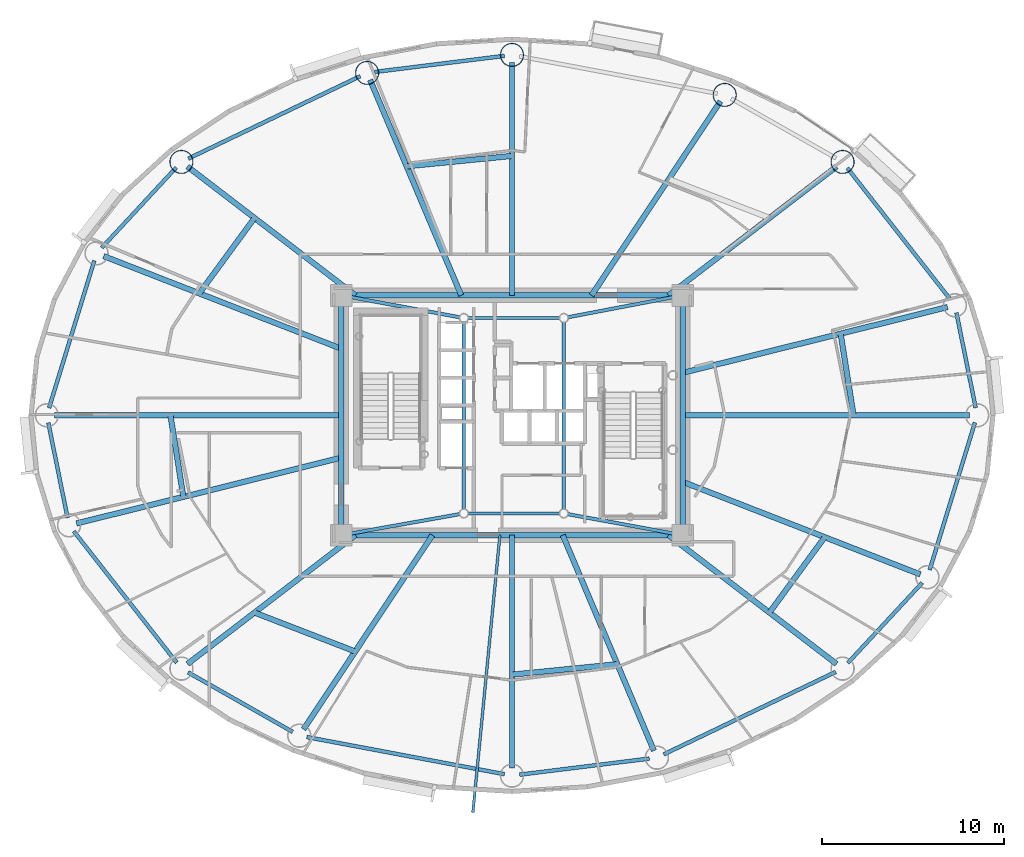
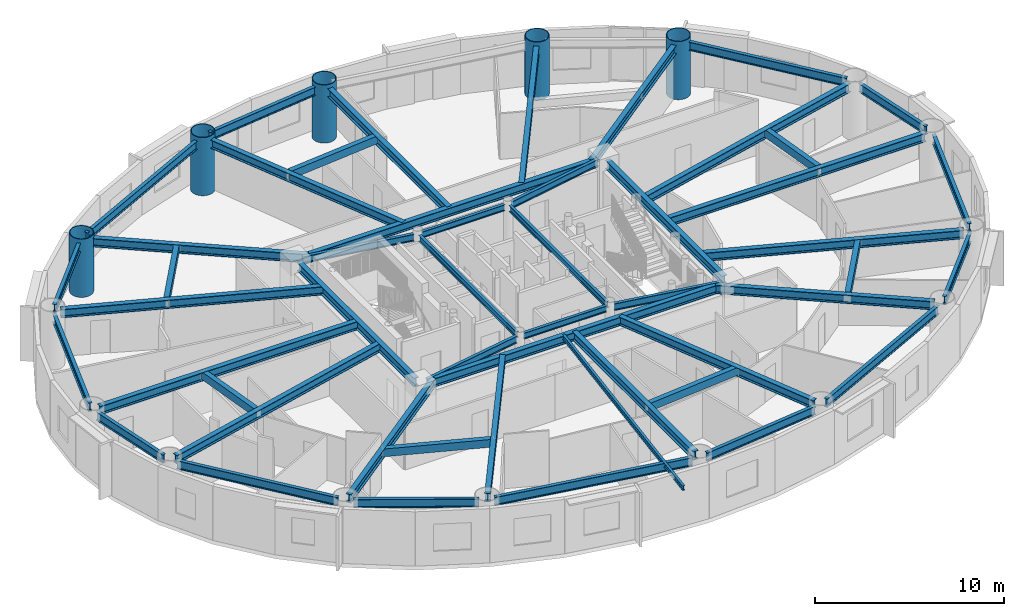
# One storey, part 3 of 21: 50 beams, 5 columns.
"""IFC4 building model written with IfcOpenShell, lengths in metres."""

from ifc_helpers import new_model, si_unit, direction, frame, origin, origin_2d, place, context, subcontext, project, spatial, hollow_rectangle, hollow_circle, i_section, extrude, material, material_profile, profile_set, type_object, element, save


model = new_model("IFC4")

# Units and contexts
model_context = context("Model", 3, precision=1e-05, world=origin(), true_north=direction((0.0, 1.0)))
body_context = subcontext(model_context, "Body", "Model", "MODEL_VIEW")
ifc_project = project(units=[si_unit("LENGTHUNIT", "METRE"), si_unit("AREAUNIT", "SQUARE_METRE"), si_unit("VOLUMEUNIT", "CUBIC_METRE"), si_unit("PLANEANGLEUNIT", "RADIAN"), si_unit("MASSUNIT", "GRAM", prefix="KILO")], contexts=[model_context])

# Site, building, storey
site_placement = place(None, origin())
site = spatial("IfcSite", under=ifc_project, at=site_placement, CompositionType="ELEMENT")
building_placement = place(site_placement, origin())
building = spatial("IfcBuilding", under=site, at=building_placement, Name="Linh Dai School and Residence Tower", CompositionType="ELEMENT")
storey_placement = place(building_placement, frame((0.0, 0.0, 189.89990234375)))
storey = spatial("IfcBuildingStorey", under=building, at=storey_placement, Name="L46", CompositionType="ELEMENT", Elevation=189.89990234375)

# Columns
ifc_material = material(Name="Structural Steel S355JR", Category="steel")
ifc_material_profile_1 = material_profile(ifc_material, hollow_circle(Radius=0.64990234375, WallThickness=0.0400390625, at=origin_2d()), Name="CHS 1300x40")
ifc_profile_set_1 = profile_set([ifc_material_profile_1], Name="Structural Steel S355JR")
column_type = type_object("IfcColumnType", Name="COL-MC4", PredefinedType="COLUMN", material=ifc_profile_set_1)
for number, where, z_axis, x_axis, name in (
    (1, (54.1923828125, 40.941650390625, 0.0), (0.0, 0.0, 1.0), (1.0, 0.0, 0.0), "L46 Perimeter CFT Mega-Column MC03"),
    (2, (47.70556640625, 44.630859375, 0.0), (0.0, 0.0, 1.0), (1.0, 0.0, 0.0), "L46 Perimeter CFT Mega-Column MC04"),
    (3, (36.0, 46.830078125, 0.0), (0.0, 0.0, 1.0), (1.0, 0.0, 0.0), "L46 Perimeter CFT Mega-Column MC05"),
    (4, (28.026611328125, 45.84130859375, 0.0), (0.0, 0.0, 1.0), (1.0, 0.0, 0.0), "L46 Perimeter CFT Mega-Column MC06"),
    (5, (17.8076171875, 40.941650390625, 0.0), (0.0, 0.0, 1.0), (1.0, 0.0, 0.0), "L46 Perimeter CFT Mega-Column MC07"),
):
    element("IfcColumn", number, at=place(storey_placement, frame(where, z_axis=z_axis, x_axis=x_axis)), inside=storey, type_object=column_type, Name=name, PredefinedType="COLUMN", context=body_context, shape_type="SweptSolid", body=[
        extrude(hollow_circle(Radius=0.64990234375, WallThickness=0.0400390625, at=origin_2d()), origin(), (0.0, 0.0, 1.0), 3.75),
    ])

# Beams
ifc_material_profile_2 = material_profile(ifc_material, i_section(OverallWidth=0.14990234375, OverallDepth=0.300048828125, WebThickness=0.007080078125, FlangeThickness=0.0107421875, at=origin_2d()), Name="IPE 300")
ifc_profile_set_2 = profile_set([ifc_material_profile_2], Name="Structural Steel S355JR")
beam_type_1 = type_object("IfcBeamType", Name="BM-BALC-CANT", PredefinedType="BEAM", material=ifc_profile_set_2)
beam_1_placement = place(storey_placement, frame((35.335205078125, 20.39990234375, 3.35009765625), z_axis=(-0.096990319244, -0.995285324906, 0.0), x_axis=(0.995285324906, -0.096990319244, 0.0)))
element("IfcBeam", 6, at=beam_1_placement, inside=storey, type_object=beam_type_1, Name="L47 Balcony Continuous Cantilever Beam 30", PredefinedType="BEAM", context=body_context, shape_type="SweptSolid", body=[
    extrude(i_section(OverallWidth=0.14990234375, OverallDepth=0.300048828125, WebThickness=0.007080078125, FlangeThickness=0.0107421875, at=origin_2d()), origin(), (0.0, 0.0, 1.0), 15.33203125),
])
ifc_material_profile_3 = material_profile(ifc_material, hollow_rectangle(XDim=0.300048828125, YDim=0.5, WallThickness=0.01611328125, at=origin_2d()), Name="RHS 500x300x16")
ifc_profile_set_3 = profile_set([ifc_material_profile_3], Name="Structural Steel S355JR")
beam_type_2 = type_object("IfcBeamType", Name="BM-BX5", PredefinedType="BEAM", material=ifc_profile_set_3)
beam_2_placement = place(storey_placement, frame((54.795166015625, 27.0048828125, 3.25), z_axis=(-0.15630517468, 0.987708809502, 0.0), x_axis=(-0.987708809502, -0.15630517468, 0.0)))
element("IfcBeam", 7, at=beam_2_placement, inside=storey, type_object=beam_type_2, Name="L46 Secondary Circumferential Floor Beam 01", PredefinedType="BEAM", context=body_context, shape_type="SweptSolid", body=[
    extrude(hollow_rectangle(XDim=0.300048828125, YDim=0.5, WallThickness=0.01611328125, at=origin_2d()), origin(), (0.0, 0.0, 1.0), 4.537353515625),
])
beam_3_placement = place(storey_placement, frame((35.9951171875, 41.27294921875, 3.25), z_axis=(-0.995143022353, -0.098439651878, 0.0), x_axis=(0.098439651878, -0.995143022353, 0.0)))
element("IfcBeam", 8, at=beam_3_placement, inside=storey, type_object=beam_type_2, Name="L46 Secondary Circumferential Floor Beam 03", PredefinedType="BEAM", context=body_context, shape_type="SweptSolid", body=[
    extrude(hollow_rectangle(XDim=0.300048828125, YDim=0.5, WallThickness=0.01611328125, at=origin_2d()), origin(), (0.0, 0.0, 1.0), 5.81591796875),
])
beam_4_placement = place(storey_placement, frame((21.828125, 37.854248046875, 3.25), z_axis=(-0.59077809598, -0.806834085367, 0.0), x_axis=(0.806834085367, -0.59077809598, 0.0)))
element("IfcBeam", 9, at=beam_4_placement, inside=storey, type_object=beam_type_2, Name="L46 Secondary Circumferential Floor Beam 04", PredefinedType="BEAM", context=body_context, shape_type="SweptSolid", body=[
    extrude(hollow_rectangle(XDim=0.300048828125, YDim=0.5, WallThickness=0.01611328125, at=origin_2d()), origin(), (0.0, 0.0, 1.0), 5.134765625),
])
beam_5_placement = place(storey_placement, frame((17.204833984375, 26.9951171875, 3.25), z_axis=(0.15630517468, -0.987708809502, 0.0), x_axis=(0.987708809502, 0.15630517468, 0.0)))
element("IfcBeam", 10, at=beam_5_placement, inside=storey, type_object=beam_type_2, Name="L46 Secondary Circumferential Floor Beam 05", PredefinedType="BEAM", context=body_context, shape_type="SweptSolid", body=[
    extrude(hollow_rectangle(XDim=0.300048828125, YDim=0.5, WallThickness=0.01611328125, at=origin_2d()), origin(), (0.0, 0.0, 1.0), 4.537353515625),
])
beam_6_placement = place(storey_placement, frame((21.8359375, 16.139892578125, 3.25), z_axis=(0.932827710026, -0.360322721193, 0.0), x_axis=(0.360322721193, 0.932827710026, 0.0)))
element("IfcBeam", 11, at=beam_6_placement, inside=storey, type_object=beam_type_2, Name="L46 Secondary Circumferential Floor Beam 06", PredefinedType="BEAM", context=body_context, shape_type="SweptSolid", body=[
    extrude(hollow_rectangle(XDim=0.300048828125, YDim=0.5, WallThickness=0.01611328125, at=origin_2d()), origin(), (0.0, 0.0, 1.0), 5.927978515625),
])
beam_7_placement = place(storey_placement, frame((36.0048828125, 12.72705078125, 3.25), z_axis=(0.995143022353, 0.098439651878, 0.0), x_axis=(-0.098439651878, 0.995143022353, 0.0)))
element("IfcBeam", 12, at=beam_7_placement, inside=storey, type_object=beam_type_2, Name="L46 Secondary Circumferential Floor Beam 07", PredefinedType="BEAM", context=body_context, shape_type="SweptSolid", body=[
    extrude(hollow_rectangle(XDim=0.300048828125, YDim=0.5, WallThickness=0.01611328125, at=origin_2d()), origin(), (0.0, 0.0, 1.0), 5.81591796875),
])
beam_8_placement = place(storey_placement, frame((50.171875, 16.145751953125, 3.25), z_axis=(0.59077809598, 0.806834085367, 0.0), x_axis=(-0.806834085367, 0.59077809598, 0.0)))
element("IfcBeam", 13, at=beam_8_placement, inside=storey, type_object=beam_type_2, Name="L46 Secondary Circumferential Floor Beam 08", PredefinedType="BEAM", context=body_context, shape_type="SweptSolid", body=[
    extrude(hollow_rectangle(XDim=0.300048828125, YDim=0.5, WallThickness=0.01611328125, at=origin_2d()), origin(), (0.0, 0.0, 1.0), 5.134765625),
])
ifc_material_profile_4 = material_profile(ifc_material, i_section(OverallWidth=0.2099609375, OverallDepth=0.550048828125, WebThickness=0.010986328125, FlangeThickness=0.01708984375, FilletRadius=0.02392578125, at=origin_2d()), Name="IPE 550")
ifc_profile_set_4 = profile_set([ifc_material_profile_4], Name="Structural Steel S355JR")
beam_type_3 = type_object("IfcBeamType", Name="BM-RB55", PredefinedType="BEAM", material=ifc_profile_set_4)
beam_9_placement = place(storey_placement, frame((61.5166015625, 27.41162109375, 3.22509765625), z_axis=(-0.198420723955, 0.980116940117, 0.0), x_axis=(-0.980116940117, -0.198420723955, 0.0)))
element("IfcBeam", 14, at=beam_9_placement, inside=storey, type_object=beam_type_3, Name="L46 Perimeter Elliptical Ring Beam 01", PredefinedType="BEAM", context=body_context, shape_type="SweptSolid", body=[
    extrude(i_section(OverallWidth=0.2099609375, OverallDepth=0.550048828125, WebThickness=0.010986328125, FlangeThickness=0.01708984375, FilletRadius=0.02392578125, at=origin_2d()), origin(), (0.0, 0.0, 1.0), 5.33642578125),
])
beam_10_placement = place(storey_placement, frame((60.115478515625, 33.38427734375, 3.22509765625), z_axis=(-0.616852281883, 0.787078942887, 0.0), x_axis=(-0.787078942887, -0.616852281883, 0.0)))
element("IfcBeam", 15, at=beam_10_placement, inside=storey, type_object=beam_type_3, Name="L46 Perimeter Elliptical Ring Beam 02", PredefinedType="BEAM", context=body_context, shape_type="SweptSolid", body=[
    extrude(i_section(OverallWidth=0.2099609375, OverallDepth=0.550048828125, WebThickness=0.010986328125, FlangeThickness=0.01708984375, FilletRadius=0.02392578125, at=origin_2d()), origin(), (0.0, 0.0, 1.0), 9.181884765625),
])
beam_11_placement = place(storey_placement, frame((35.583251953125, 46.7783203125, 3.22509765625), z_axis=(-0.992400597975, -0.123048986741, 0.0), x_axis=(0.123048986741, -0.992400597975, 0.0)))
element("IfcBeam", 16, at=beam_11_placement, inside=storey, type_object=beam_type_3, Name="L46 Perimeter Elliptical Ring Beam 05", PredefinedType="BEAM", context=body_context, shape_type="SweptSolid", body=[
    extrude(i_section(OverallWidth=0.2099609375, OverallDepth=0.550048828125, WebThickness=0.010986328125, FlangeThickness=0.01708984375, FilletRadius=0.02392578125, at=origin_2d()), origin(), (0.0, 0.0, 1.0), 7.1943359375),
])
beam_12_placement = place(storey_placement, frame((27.64794921875, 45.659912109375, 3.22509765625), z_axis=(-0.901708141823, -0.432345263614, 0.0), x_axis=(0.432345263614, -0.901708141823, 0.0)))
element("IfcBeam", 17, at=beam_12_placement, inside=storey, type_object=beam_type_3, Name="L46 Perimeter Elliptical Ring Beam 06", PredefinedType="BEAM", context=body_context, shape_type="SweptSolid", body=[
    extrude(i_section(OverallWidth=0.2099609375, OverallDepth=0.550048828125, WebThickness=0.010986328125, FlangeThickness=0.01708984375, FilletRadius=0.02392578125, at=origin_2d()), origin(), (0.0, 0.0, 1.0), 10.4931640625),
])
beam_13_placement = place(storey_placement, frame((17.521728515625, 40.6337890625, 3.22509765625), z_axis=(-0.680378035197, -0.732861330145, 0.0), x_axis=(0.732861330145, -0.680378035197, 0.0)))
element("IfcBeam", 18, at=beam_13_placement, inside=storey, type_object=beam_type_3, Name="L46 Perimeter Elliptical Ring Beam 07", PredefinedType="BEAM", context=body_context, shape_type="SweptSolid", body=[
    extrude(i_section(OverallWidth=0.2099609375, OverallDepth=0.550048828125, WebThickness=0.010986328125, FlangeThickness=0.01708984375, FilletRadius=0.02392578125, at=origin_2d()), origin(), (0.0, 0.0, 1.0), 6.024169921875),
])
beam_14_placement = place(storey_placement, frame((13.01416015625, 35.509765625, 3.22509765625), z_axis=(-0.29363681283, -0.955917058196, 0.0), x_axis=(0.955917058196, -0.29363681283, 0.0)))
element("IfcBeam", 19, at=beam_14_placement, inside=storey, type_object=beam_type_3, Name="L46 Perimeter Elliptical Ring Beam 08", PredefinedType="BEAM", context=body_context, shape_type="SweptSolid", body=[
    extrude(i_section(OverallWidth=0.2099609375, OverallDepth=0.550048828125, WebThickness=0.010986328125, FlangeThickness=0.01708984375, FilletRadius=0.02392578125, at=origin_2d()), origin(), (0.0, 0.0, 1.0), 8.482421875),
])
beam_15_placement = place(storey_placement, frame((10.4833984375, 26.58837890625, 3.22509765625), z_axis=(0.198420723955, -0.980116940117, 0.0), x_axis=(0.980116940117, 0.198420723955, 0.0)))
element("IfcBeam", 20, at=beam_15_placement, inside=storey, type_object=beam_type_3, Name="L46 Perimeter Elliptical Ring Beam 09", PredefinedType="BEAM", context=body_context, shape_type="SweptSolid", body=[
    extrude(i_section(OverallWidth=0.2099609375, OverallDepth=0.550048828125, WebThickness=0.010986328125, FlangeThickness=0.01708984375, FilletRadius=0.02392578125, at=origin_2d()), origin(), (0.0, 0.0, 1.0), 5.33642578125),
])
beam_16_placement = place(storey_placement, frame((11.884521484375, 20.61572265625, 3.22509765625), z_axis=(0.616852281883, -0.787078942887, 0.0), x_axis=(0.787078942887, 0.616852281883, 0.0)))
element("IfcBeam", 21, at=beam_16_placement, inside=storey, type_object=beam_type_3, Name="L46 Perimeter Elliptical Ring Beam 10", PredefinedType="BEAM", context=body_context, shape_type="SweptSolid", body=[
    extrude(i_section(OverallWidth=0.2099609375, OverallDepth=0.550048828125, WebThickness=0.010986328125, FlangeThickness=0.01708984375, FilletRadius=0.02392578125, at=origin_2d()), origin(), (0.0, 0.0, 1.0), 9.181884765625),
])
beam_17_placement = place(storey_placement, frame((18.172607421875, 12.8505859375, 3.22509765625), z_axis=(0.869262164011, -0.49435138335, 0.0), x_axis=(0.49435138335, 0.869262164011, 0.0)))
element("IfcBeam", 22, at=beam_17_placement, inside=storey, type_object=beam_type_3, Name="L46 Perimeter Elliptical Ring Beam 11", PredefinedType="BEAM", context=body_context, shape_type="SweptSolid", body=[
    extrude(i_section(OverallWidth=0.2099609375, OverallDepth=0.550048828125, WebThickness=0.010986328125, FlangeThickness=0.01708984375, FilletRadius=0.02392578125, at=origin_2d()), origin(), (0.0, 0.0, 1.0), 6.62255859375),
])
beam_18_placement = place(storey_placement, frame((24.707275390625, 9.29150390625, 3.22509765625), z_axis=(0.98280721278, -0.184634727255, 0.0), x_axis=(0.184634727255, 0.98280721278, 0.0)))
element("IfcBeam", 23, at=beam_18_placement, inside=storey, type_object=beam_type_3, Name="L46 Perimeter Elliptical Ring Beam 12", PredefinedType="BEAM", context=body_context, shape_type="SweptSolid", body=[
    extrude(i_section(OverallWidth=0.2099609375, OverallDepth=0.550048828125, WebThickness=0.010986328125, FlangeThickness=0.01708984375, FilletRadius=0.02392578125, at=origin_2d()), origin(), (0.0, 0.0, 1.0), 11.0703125),
])
beam_19_placement = place(storey_placement, frame((36.416748046875, 7.2216796875, 3.22509765625), z_axis=(0.992400597975, 0.123048986741, 0.0), x_axis=(-0.123048986741, 0.992400597975, 0.0)))
element("IfcBeam", 24, at=beam_19_placement, inside=storey, type_object=beam_type_3, Name="L46 Perimeter Elliptical Ring Beam 13", PredefinedType="BEAM", context=body_context, shape_type="SweptSolid", body=[
    extrude(i_section(OverallWidth=0.2099609375, OverallDepth=0.550048828125, WebThickness=0.010986328125, FlangeThickness=0.01708984375, FilletRadius=0.02392578125, at=origin_2d()), origin(), (0.0, 0.0, 1.0), 7.1943359375),
])
beam_20_placement = place(storey_placement, frame((44.35205078125, 8.340087890625, 3.22509765625), z_axis=(0.901708141823, 0.432345263614, 0.0), x_axis=(-0.432345263614, 0.901708141823, 0.0)))
element("IfcBeam", 25, at=beam_20_placement, inside=storey, type_object=beam_type_3, Name="L46 Perimeter Elliptical Ring Beam 14", PredefinedType="BEAM", context=body_context, shape_type="SweptSolid", body=[
    extrude(i_section(OverallWidth=0.2099609375, OverallDepth=0.550048828125, WebThickness=0.010986328125, FlangeThickness=0.01708984375, FilletRadius=0.02392578125, at=origin_2d()), origin(), (0.0, 0.0, 1.0), 10.4931640625),
])
beam_21_placement = place(storey_placement, frame((54.478271484375, 13.3662109375, 3.22509765625), z_axis=(0.680378035197, 0.732861330145, 0.0), x_axis=(-0.732861330145, 0.680378035197, 0.0)))
element("IfcBeam", 26, at=beam_21_placement, inside=storey, type_object=beam_type_3, Name="L46 Perimeter Elliptical Ring Beam 15", PredefinedType="BEAM", context=body_context, shape_type="SweptSolid", body=[
    extrude(i_section(OverallWidth=0.2099609375, OverallDepth=0.550048828125, WebThickness=0.010986328125, FlangeThickness=0.01708984375, FilletRadius=0.02392578125, at=origin_2d()), origin(), (0.0, 0.0, 1.0), 6.024169921875),
])
beam_22_placement = place(storey_placement, frame((58.98583984375, 18.490234375, 3.22509765625), z_axis=(0.29363681283, 0.955917058196, 0.0), x_axis=(-0.955917058196, 0.29363681283, 0.0)))
element("IfcBeam", 27, at=beam_22_placement, inside=storey, type_object=beam_type_3, Name="L46 Perimeter Elliptical Ring Beam 16", PredefinedType="BEAM", context=body_context, shape_type="SweptSolid", body=[
    extrude(i_section(OverallWidth=0.2099609375, OverallDepth=0.550048828125, WebThickness=0.010986328125, FlangeThickness=0.01708984375, FilletRadius=0.02392578125, at=origin_2d()), origin(), (0.0, 0.0, 1.0), 8.482421875),
])
ifc_material_profile_5 = material_profile(ifc_material, i_section(OverallWidth=0.300048828125, OverallDepth=0.550048828125, WebThickness=0.014892578125, FlangeThickness=0.029052734375, FilletRadius=0.027099609375, at=origin_2d()), Name="HEB 550")
ifc_profile_set_5 = profile_set([ifc_material_profile_5], Name="Structural Steel S355JR")
beam_type_4 = type_object("IfcBeamType", Name="BM-RG55", PredefinedType="BEAM", material=ifc_profile_set_5)
beam_23_placement = place(storey_placement, frame((27.02001953125, 20.39990234375, 3.22509765625), z_axis=(1.0, 0.0, 0.0), x_axis=(0.0, 1.0, 0.0)))
element("IfcBeam", 28, at=beam_23_placement, inside=storey, type_object=beam_type_4, Name="L46 Core Perimeter Coupling Girder 1", PredefinedType="BEAM", context=body_context, shape_type="SweptSolid", body=[
    extrude(i_section(OverallWidth=0.300048828125, OverallDepth=0.550048828125, WebThickness=0.014892578125, FlangeThickness=0.029052734375, FilletRadius=0.027099609375, at=origin_2d()), origin(), (0.0, 0.0, 1.0), 17.9599609375),
])
beam_24_placement = place(storey_placement, frame((45.39990234375, 20.820068359375, 3.22509765625), z_axis=(0.0, 1.0, 0.0), x_axis=(-1.0, 0.0, 0.0)))
element("IfcBeam", 29, at=beam_24_placement, inside=storey, type_object=beam_type_4, Name="L46 Core Perimeter Coupling Girder 2", PredefinedType="BEAM", context=body_context, shape_type="SweptSolid", body=[
    extrude(i_section(OverallWidth=0.300048828125, OverallDepth=0.550048828125, WebThickness=0.014892578125, FlangeThickness=0.029052734375, FilletRadius=0.027099609375, at=origin_2d()), origin(), (0.0, 0.0, 1.0), 12.35986328125),
])
beam_25_placement = place(storey_placement, frame((44.97998046875, 33.60009765625, 3.22509765625), z_axis=(-1.0, 0.0, 0.0), x_axis=(0.0, -1.0, 0.0)))
element("IfcBeam", 30, at=beam_25_placement, inside=storey, type_object=beam_type_4, Name="L46 Core Perimeter Coupling Girder 3", PredefinedType="BEAM", context=body_context, shape_type="SweptSolid", body=[
    extrude(i_section(OverallWidth=0.300048828125, OverallDepth=0.550048828125, WebThickness=0.014892578125, FlangeThickness=0.029052734375, FilletRadius=0.027099609375, at=origin_2d()), origin(), (0.0, 0.0, 1.0), 17.9599609375),
])
beam_26_placement = place(storey_placement, frame((26.60009765625, 33.179931640625, 3.22509765625), z_axis=(0.0, -1.0, 0.0), x_axis=(1.0, 0.0, 0.0)))
element("IfcBeam", 31, at=beam_26_placement, inside=storey, type_object=beam_type_4, Name="L46 Core Perimeter Coupling Girder 4", PredefinedType="BEAM", context=body_context, shape_type="SweptSolid", body=[
    extrude(i_section(OverallWidth=0.300048828125, OverallDepth=0.550048828125, WebThickness=0.014892578125, FlangeThickness=0.029052734375, FilletRadius=0.027099609375, at=origin_2d()), origin(), (0.0, 0.0, 1.0), 12.35986328125),
])
beam_27_placement = place(storey_placement, frame((45.39990234375, 27.0, 3.22509765625), z_axis=(1.0, 0.0, 0.0), x_axis=(0.0, 1.0, 0.0)))
element("IfcBeam", 32, at=beam_27_placement, inside=storey, type_object=beam_type_4, Name="L46 Primary Radial Floor Girder 01", PredefinedType="BEAM", context=body_context, shape_type="SweptSolid", body=[
    extrude(i_section(OverallWidth=0.300048828125, OverallDepth=0.550048828125, WebThickness=0.014892578125, FlangeThickness=0.029052734375, FilletRadius=0.027099609375, at=origin_2d()), origin(), (0.0, 0.0, 1.0), 15.780029296875),
])
beam_28_placement = place(storey_placement, frame((45.39990234375, 29.33447265625, 3.22509765625), z_axis=(0.970514508209, 0.24104271272, 0.0), x_axis=(-0.24104271272, 0.970514508209, 0.0)))
element("IfcBeam", 33, at=beam_28_placement, inside=storey, type_object=beam_type_4, Name="L46 Primary Radial Floor Girder 02", PredefinedType="BEAM", context=body_context, shape_type="SweptSolid", body=[
    extrude(i_section(OverallWidth=0.300048828125, OverallDepth=0.550048828125, WebThickness=0.014892578125, FlangeThickness=0.029052734375, FilletRadius=0.027099609375, at=origin_2d()), origin(), (0.0, 0.0, 1.0), 15.009521484375),
])
beam_29_placement = place(storey_placement, frame((44.6123046875, 33.60009765625, 3.22509765625), z_axis=(0.793732831925, 0.608266546445, 0.0), x_axis=(-0.608266546445, 0.793732831925, 0.0)))
element("IfcBeam", 34, at=beam_29_placement, inside=storey, type_object=beam_type_4, Name="L46 Primary Radial Floor Girder 03", PredefinedType="BEAM", context=body_context, shape_type="SweptSolid", body=[
    extrude(i_section(OverallWidth=0.300048828125, OverallDepth=0.550048828125, WebThickness=0.014892578125, FlangeThickness=0.029052734375, FilletRadius=0.027099609375, at=origin_2d()), origin(), (0.0, 0.0, 1.0), 11.64990234375),
])
beam_30_placement = place(storey_placement, frame((40.3818359375, 33.60009765625, 3.22509765625), z_axis=(0.553117176317, 0.833103468522, 0.0), x_axis=(-0.833103468522, 0.553117176317, 0.0)))
element("IfcBeam", 35, at=beam_30_placement, inside=storey, type_object=beam_type_4, Name="L46 Primary Radial Floor Girder 04", PredefinedType="BEAM", context=body_context, shape_type="SweptSolid", body=[
    extrude(i_section(OverallWidth=0.300048828125, OverallDepth=0.550048828125, WebThickness=0.014892578125, FlangeThickness=0.029052734375, FilletRadius=0.027099609375, at=origin_2d()), origin(), (0.0, 0.0, 1.0), 12.820556640625),
])
beam_31_placement = place(storey_placement, frame((36.0, 33.60009765625, 3.22509765625), z_axis=(0.0, 1.0, 0.0), x_axis=(-1.0, 0.0, 0.0)))
element("IfcBeam", 36, at=beam_31_placement, inside=storey, type_object=beam_type_4, Name="L46 Primary Radial Floor Girder 05", PredefinedType="BEAM", context=body_context, shape_type="SweptSolid", body=[
    extrude(i_section(OverallWidth=0.300048828125, OverallDepth=0.550048828125, WebThickness=0.014892578125, FlangeThickness=0.029052734375, FilletRadius=0.027099609375, at=origin_2d()), origin(), (0.0, 0.0, 1.0), 12.809814453125),
])
beam_32_placement = place(storey_placement, frame((33.20703125, 33.60009765625, 3.22509765625), z_axis=(-0.389721661447, 0.920932693849, 0.0), x_axis=(-0.920932693849, -0.389721661447, 0.0)))
element("IfcBeam", 37, at=beam_32_placement, inside=storey, type_object=beam_type_4, Name="L46 Primary Radial Floor Girder 06", PredefinedType="BEAM", context=body_context, shape_type="SweptSolid", body=[
    extrude(i_section(OverallWidth=0.300048828125, OverallDepth=0.550048828125, WebThickness=0.014892578125, FlangeThickness=0.029052734375, FilletRadius=0.027099609375, at=origin_2d()), origin(), (0.0, 0.0, 1.0), 12.872314453125),
])
beam_33_placement = place(storey_placement, frame((27.3876953125, 33.60009765625, 3.22509765625), z_axis=(-0.793732831925, 0.608266546445, 0.0), x_axis=(-0.608266546445, -0.793732831925, 0.0)))
element("IfcBeam", 38, at=beam_33_placement, inside=storey, type_object=beam_type_4, Name="L46 Primary Radial Floor Girder 07", PredefinedType="BEAM", context=body_context, shape_type="SweptSolid", body=[
    extrude(i_section(OverallWidth=0.300048828125, OverallDepth=0.550048828125, WebThickness=0.014892578125, FlangeThickness=0.029052734375, FilletRadius=0.027099609375, at=origin_2d()), origin(), (0.0, 0.0, 1.0), 11.64990234375),
])
beam_34_placement = place(storey_placement, frame((26.60009765625, 30.663818359375, 3.22509765625), z_axis=(-0.931722873254, 0.363170053081, 0.0), x_axis=(-0.363170053081, -0.931722873254, 0.0)))
element("IfcBeam", 39, at=beam_34_placement, inside=storey, type_object=beam_type_4, Name="L46 Primary Radial Floor Girder 08", PredefinedType="BEAM", context=body_context, shape_type="SweptSolid", body=[
    extrude(i_section(OverallWidth=0.300048828125, OverallDepth=0.550048828125, WebThickness=0.014892578125, FlangeThickness=0.029052734375, FilletRadius=0.027099609375, at=origin_2d()), origin(), (0.0, 0.0, 1.0), 14.029052734375),
])
beam_35_placement = place(storey_placement, frame((26.60009765625, 27.0, 3.22509765625), z_axis=(-1.0, 0.0, 0.0), x_axis=(0.0, -1.0, 0.0)))
element("IfcBeam", 40, at=beam_35_placement, inside=storey, type_object=beam_type_4, Name="L46 Primary Radial Floor Girder 09", PredefinedType="BEAM", context=body_context, shape_type="SweptSolid", body=[
    extrude(i_section(OverallWidth=0.300048828125, OverallDepth=0.550048828125, WebThickness=0.014892578125, FlangeThickness=0.029052734375, FilletRadius=0.027099609375, at=origin_2d()), origin(), (0.0, 0.0, 1.0), 15.780029296875),
])
beam_36_placement = place(storey_placement, frame((26.60009765625, 24.66552734375, 3.22509765625), z_axis=(-0.970514508209, -0.24104271272, 0.0), x_axis=(0.24104271272, -0.970514508209, 0.0)))
element("IfcBeam", 41, at=beam_36_placement, inside=storey, type_object=beam_type_4, Name="L46 Primary Radial Floor Girder 10", PredefinedType="BEAM", context=body_context, shape_type="SweptSolid", body=[
    extrude(i_section(OverallWidth=0.300048828125, OverallDepth=0.550048828125, WebThickness=0.014892578125, FlangeThickness=0.029052734375, FilletRadius=0.027099609375, at=origin_2d()), origin(), (0.0, 0.0, 1.0), 15.009521484375),
])
beam_37_placement = place(storey_placement, frame((27.3876953125, 20.39990234375, 3.22509765625), z_axis=(-0.793732831925, -0.608266546445, 0.0), x_axis=(0.608266546445, -0.793732831925, 0.0)))
element("IfcBeam", 42, at=beam_37_placement, inside=storey, type_object=beam_type_4, Name="L46 Primary Radial Floor Girder 11", PredefinedType="BEAM", context=body_context, shape_type="SweptSolid", body=[
    extrude(i_section(OverallWidth=0.300048828125, OverallDepth=0.550048828125, WebThickness=0.014892578125, FlangeThickness=0.029052734375, FilletRadius=0.027099609375, at=origin_2d()), origin(), (0.0, 0.0, 1.0), 11.64990234375),
])
beam_38_placement = place(storey_placement, frame((31.6181640625, 20.39990234375, 3.22509765625), z_axis=(-0.553117176317, -0.833103468522, 0.0), x_axis=(0.833103468522, -0.553117176317, 0.0)))
element("IfcBeam", 43, at=beam_38_placement, inside=storey, type_object=beam_type_4, Name="L46 Primary Radial Floor Girder 12", PredefinedType="BEAM", context=body_context, shape_type="SweptSolid", body=[
    extrude(i_section(OverallWidth=0.300048828125, OverallDepth=0.550048828125, WebThickness=0.014892578125, FlangeThickness=0.029052734375, FilletRadius=0.027099609375, at=origin_2d()), origin(), (0.0, 0.0, 1.0), 12.820556640625),
])
beam_39_placement = place(storey_placement, frame((36.0, 20.39990234375, 3.22509765625), z_axis=(0.0, -1.0, 0.0), x_axis=(1.0, 0.0, 0.0)))
element("IfcBeam", 44, at=beam_39_placement, inside=storey, type_object=beam_type_4, Name="L46 Primary Radial Floor Girder 13", PredefinedType="BEAM", context=body_context, shape_type="SweptSolid", body=[
    extrude(i_section(OverallWidth=0.300048828125, OverallDepth=0.550048828125, WebThickness=0.014892578125, FlangeThickness=0.029052734375, FilletRadius=0.027099609375, at=origin_2d()), origin(), (0.0, 0.0, 1.0), 12.809814453125),
])
beam_40_placement = place(storey_placement, frame((38.79296875, 20.39990234375, 3.22509765625), z_axis=(0.389721661447, -0.920932693849, 0.0), x_axis=(0.920932693849, 0.389721661447, 0.0)))
element("IfcBeam", 45, at=beam_40_placement, inside=storey, type_object=beam_type_4, Name="L46 Primary Radial Floor Girder 14", PredefinedType="BEAM", context=body_context, shape_type="SweptSolid", body=[
    extrude(i_section(OverallWidth=0.300048828125, OverallDepth=0.550048828125, WebThickness=0.014892578125, FlangeThickness=0.029052734375, FilletRadius=0.027099609375, at=origin_2d()), origin(), (0.0, 0.0, 1.0), 12.872314453125),
])
beam_41_placement = place(storey_placement, frame((44.6123046875, 20.39990234375, 3.22509765625), z_axis=(0.793732831925, -0.608266546445, 0.0), x_axis=(0.608266546445, 0.793732831925, 0.0)))
element("IfcBeam", 46, at=beam_41_placement, inside=storey, type_object=beam_type_4, Name="L46 Primary Radial Floor Girder 15", PredefinedType="BEAM", context=body_context, shape_type="SweptSolid", body=[
    extrude(i_section(OverallWidth=0.300048828125, OverallDepth=0.550048828125, WebThickness=0.014892578125, FlangeThickness=0.029052734375, FilletRadius=0.027099609375, at=origin_2d()), origin(), (0.0, 0.0, 1.0), 11.64990234375),
])
beam_42_placement = place(storey_placement, frame((45.39990234375, 23.336181640625, 3.22509765625), z_axis=(0.931722873254, -0.363170053081, 0.0), x_axis=(0.363170053081, 0.931722873254, 0.0)))
element("IfcBeam", 47, at=beam_42_placement, inside=storey, type_object=beam_type_4, Name="L46 Primary Radial Floor Girder 16", PredefinedType="BEAM", context=body_context, shape_type="SweptSolid", body=[
    extrude(i_section(OverallWidth=0.300048828125, OverallDepth=0.550048828125, WebThickness=0.014892578125, FlangeThickness=0.029052734375, FilletRadius=0.027099609375, at=origin_2d()), origin(), (0.0, 0.0, 1.0), 14.029052734375),
])
ifc_material_profile_6 = material_profile(ifc_material, i_section(OverallWidth=0.179931640625, OverallDepth=0.39990234375, WebThickness=0.008544921875, FlangeThickness=0.013427734375, FilletRadius=0.02099609375, at=origin_2d()), Name="IPE 400")
ifc_profile_set_6 = profile_set([ifc_material_profile_6], Name="Structural Steel S355JR")
beam_type_5 = type_object("IfcBeamType", Name="BM-SB40", PredefinedType="BEAM", material=ifc_profile_set_6)
beam_43_placement = place(storey_placement, frame((33.573974609375, 21.60009765625, 3.300048828125), z_axis=(1.0, 0.0, 0.0), x_axis=(0.0, 1.0, 0.0)))
element("IfcBeam", 48, at=beam_43_placement, inside=storey, type_object=beam_type_5, Name="L46 Core Mast Pier Tie Beam 1", PredefinedType="BEAM", context=body_context, shape_type="SweptSolid", body=[
    extrude(i_section(OverallWidth=0.179931640625, OverallDepth=0.39990234375, WebThickness=0.008544921875, FlangeThickness=0.013427734375, FilletRadius=0.02099609375, at=origin_2d()), origin(), (0.0, 0.0, 1.0), 5.052001953125),
])
beam_44_placement = place(storey_placement, frame((38.85009765625, 21.823974609375, 3.300048828125), z_axis=(0.0, 1.0, 0.0), x_axis=(-1.0, 0.0, 0.0)))
element("IfcBeam", 49, at=beam_44_placement, inside=storey, type_object=beam_type_5, Name="L46 Core Mast Pier Tie Beam 2", PredefinedType="BEAM", context=body_context, shape_type="SweptSolid", body=[
    extrude(i_section(OverallWidth=0.179931640625, OverallDepth=0.39990234375, WebThickness=0.008544921875, FlangeThickness=0.013427734375, FilletRadius=0.02099609375, at=origin_2d()), origin(), (0.0, 0.0, 1.0), 10.302001953125),
])
beam_45_placement = place(storey_placement, frame((38.6259765625, 32.35009765625, 3.300048828125), z_axis=(-1.0, 0.0, 0.0), x_axis=(0.0, -1.0, 0.0)))
element("IfcBeam", 50, at=beam_45_placement, inside=storey, type_object=beam_type_5, Name="L46 Core Mast Pier Tie Beam 3", PredefinedType="BEAM", context=body_context, shape_type="SweptSolid", body=[
    extrude(i_section(OverallWidth=0.179931640625, OverallDepth=0.39990234375, WebThickness=0.008544921875, FlangeThickness=0.013427734375, FilletRadius=0.02099609375, at=origin_2d()), origin(), (0.0, 0.0, 1.0), 5.052001953125),
])
beam_46_placement = place(storey_placement, frame((33.35009765625, 32.1259765625, 3.300048828125), z_axis=(0.0, -1.0, 0.0), x_axis=(1.0, 0.0, 0.0)))
element("IfcBeam", 51, at=beam_46_placement, inside=storey, type_object=beam_type_5, Name="L46 Core Mast Pier Tie Beam 4", PredefinedType="BEAM", context=body_context, shape_type="SweptSolid", body=[
    extrude(i_section(OverallWidth=0.179931640625, OverallDepth=0.39990234375, WebThickness=0.008544921875, FlangeThickness=0.013427734375, FilletRadius=0.02099609375, at=origin_2d()), origin(), (0.0, 0.0, 1.0), 10.302001953125),
])
ifc_material_profile_7 = material_profile(ifc_material, i_section(OverallWidth=0.18994140625, OverallDepth=0.449951171875, WebThickness=0.009521484375, FlangeThickness=0.0146484375, FilletRadius=0.02099609375, at=origin_2d()), Name="IPE 450")
ifc_profile_set_7 = profile_set([ifc_material_profile_7], Name="Structural Steel S355JR")
beam_type_6 = type_object("IfcBeamType", Name="BM-SB45", PredefinedType="BEAM", material=ifc_profile_set_7)
beam_47_placement = place(storey_placement, frame((27.013427734375, 20.4736328125, 3.275146484375), z_axis=(0.984565969371, 0.175013862185, 0.0), x_axis=(-0.175013862185, 0.984565969371, 0.0)))
element("IfcBeam", 52, at=beam_47_placement, inside=storey, type_object=beam_type_6, Name="L46 Core Corner-to-Mast Pier Beam 1", PredefinedType="BEAM", context=body_context, shape_type="SweptSolid", body=[
    extrude(i_section(OverallWidth=0.18994140625, OverallDepth=0.449951171875, WebThickness=0.009521484375, FlangeThickness=0.0146484375, FilletRadius=0.02099609375, at=origin_2d()), origin(), (0.0, 0.0, 1.0), 6.2119140625),
])
beam_48_placement = place(storey_placement, frame((44.98681640625, 20.4755859375, 3.275146484375), z_axis=(-0.983627428732, 0.180213987933, 0.0), x_axis=(-0.180213987933, -0.983627428732, 0.0)))
element("IfcBeam", 53, at=beam_48_placement, inside=storey, type_object=beam_type_6, Name="L46 Core Corner-to-Mast Pier Beam 2", PredefinedType="BEAM", context=body_context, shape_type="SweptSolid", body=[
    extrude(i_section(OverallWidth=0.18994140625, OverallDepth=0.449951171875, WebThickness=0.009521484375, FlangeThickness=0.0146484375, FilletRadius=0.02099609375, at=origin_2d()), origin(), (0.0, 0.0, 1.0), 6.014892578125),
])
beam_49_placement = place(storey_placement, frame((44.987548828125, 33.521240234375, 3.275146484375), z_axis=(-0.982277147686, -0.187434268836, 0.0), x_axis=(0.187434268836, -0.982277147686, 0.0)))
element("IfcBeam", 54, at=beam_49_placement, inside=storey, type_object=beam_type_6, Name="L46 Core Corner-to-Mast Pier Beam 3", PredefinedType="BEAM", context=body_context, shape_type="SweptSolid", body=[
    extrude(i_section(OverallWidth=0.18994140625, OverallDepth=0.449951171875, WebThickness=0.009521484375, FlangeThickness=0.0146484375, FilletRadius=0.02099609375, at=origin_2d()), origin(), (0.0, 0.0, 1.0), 6.024169921875),
])
beam_50_placement = place(storey_placement, frame((27.012939453125, 33.5234375, 3.275146484375), z_axis=(0.983286429055, -0.182065368579, 0.0), x_axis=(0.182065368579, 0.983286429055, 0.0)))
element("IfcBeam", 55, at=beam_50_placement, inside=storey, type_object=beam_type_6, Name="L46 Core Corner-to-Mast Pier Beam 4", PredefinedType="BEAM", context=body_context, shape_type="SweptSolid", body=[
    extrude(i_section(OverallWidth=0.18994140625, OverallDepth=0.449951171875, WebThickness=0.009521484375, FlangeThickness=0.0146484375, FilletRadius=0.02099609375, at=origin_2d()), origin(), (0.0, 0.0, 1.0), 6.220703125),
])

save(model, "model.ifc")
